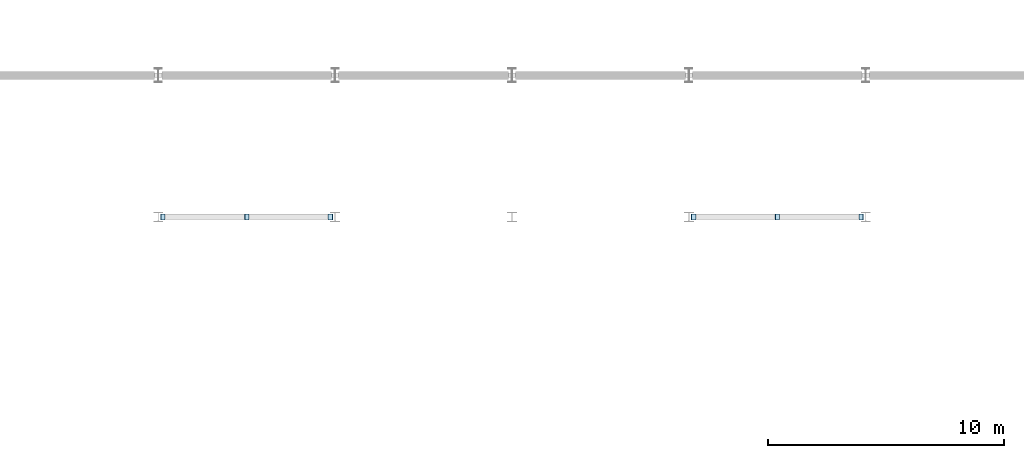
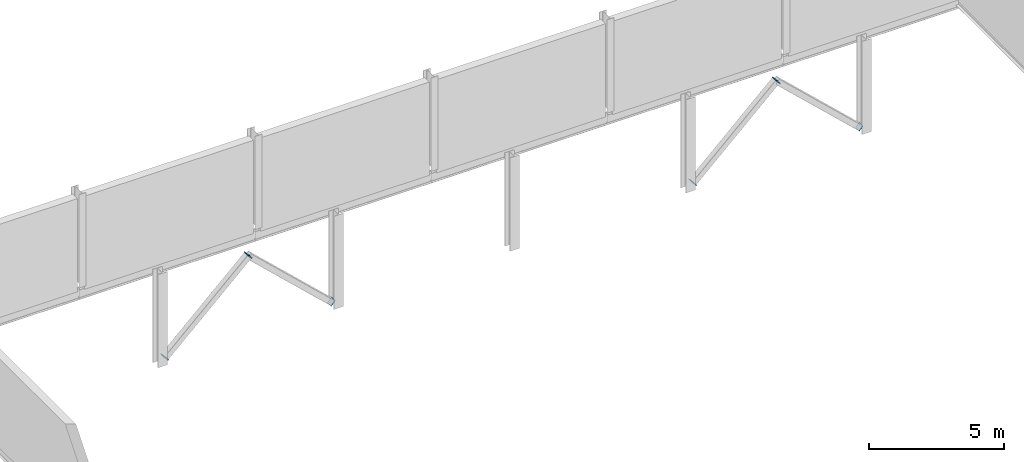
# One storey, part 58 of 75: 6 plates.
"""IFC4 building model written with IfcOpenShell, lengths in metres."""

from ifc_helpers import new_model, si_unit, direction, frame, origin, origin_2d, place, context, subcontext, project, spatial, rectangle, extrude, material, layer, layer_set, type_object, element, save


model = new_model("IFC4")

# Units and contexts
model_context = context("Model", 3, precision=1e-05, world=origin(), true_north=direction((0.0, 1.0)))
body_context = subcontext(model_context, "Body", "Model", "MODEL_VIEW")
ifc_project = project(units=[si_unit("LENGTHUNIT", "METRE"), si_unit("AREAUNIT", "SQUARE_METRE"), si_unit("VOLUMEUNIT", "CUBIC_METRE"), si_unit("PLANEANGLEUNIT", "RADIAN"), si_unit("MASSUNIT", "GRAM", prefix="KILO")], contexts=[model_context])

# Site, building, storey
site_placement = place(None, origin())
site = spatial("IfcSite", under=ifc_project, at=site_placement, CompositionType="ELEMENT")
building_placement = place(site_placement, origin())
building = spatial("IfcBuilding", under=site, at=building_placement, Name="Yukiwa Park Conservatory and Herbarium", CompositionType="ELEMENT")
storey_placement = place(building_placement, frame((0.0, 0.0, 4.800048828125)))
storey = spatial("IfcBuildingStorey", under=building, at=storey_placement, Name="L01", CompositionType="ELEMENT", Elevation=4.800048828125)

# Plates
ifc_material = material(Name="Steel Q355D", Category="steel")
ifc_layer = layer(ifc_material, 0.02392578125)
ifc_layer_set = layer_set([ifc_layer], Name="Steel Q355D")
plate_type = type_object("IfcPlateType", Name="PL-CAP-24-INT", PredefinedType="USERDEFINED", material=ifc_layer_set)
for number, where, z_axis, x_axis, name in (
    (1, (22.704345703125, 103.199951171875, 0.241943359375), (-0.732068807534, 0.0, -0.6812306959), (0.0, -1.0, 0.0), "Hollow section end cap plate CAP-BR-L01-013A"),
    (2, (26.244140625, 103.199951171875, 3.574462890625), (0.732068807534, 0.0, 0.6812306959), (0.0, 1.0, 0.0), "Hollow section end cap plate CAP-BR-L01-013B"),
    (3, (29.795654296875, 103.199951171875, 0.241943359375), (0.732068807534, 0.0, -0.6812306959), (0.0, 1.0, 0.0), "Hollow section end cap plate CAP-BR-L01-014A"),
    (4, (45.204345703125, 103.199951171875, 0.241943359375), (-0.732068807534, 0.0, -0.6812306959), (0.0, -1.0, 0.0), "Hollow section end cap plate CAP-BR-L01-015A"),
    (5, (48.744140625, 103.199951171875, 3.574462890625), (0.732068807534, 0.0, 0.6812306959), (0.0, 1.0, 0.0), "Hollow section end cap plate CAP-BR-L01-015B"),
    (6, (52.295654296875, 103.199951171875, 0.241943359375), (0.732068807534, 0.0, -0.6812306959), (0.0, 1.0, 0.0), "Hollow section end cap plate CAP-BR-L01-016A"),
):
    element("IfcPlate", number, at=place(storey_placement, frame(where, z_axis=z_axis, x_axis=x_axis)), inside=storey, type_object=plate_type, Name=name, ObjectType="END CAP PLATE", PredefinedType="USERDEFINED", context=body_context, shape_type="SweptSolid", body=[
        extrude(rectangle(XDim=0.258056640625, YDim=0.258056640625, at=origin_2d()), origin(), (0.0, 0.0, 1.0), 0.02392578125),
    ])

save(model, "model.ifc")
